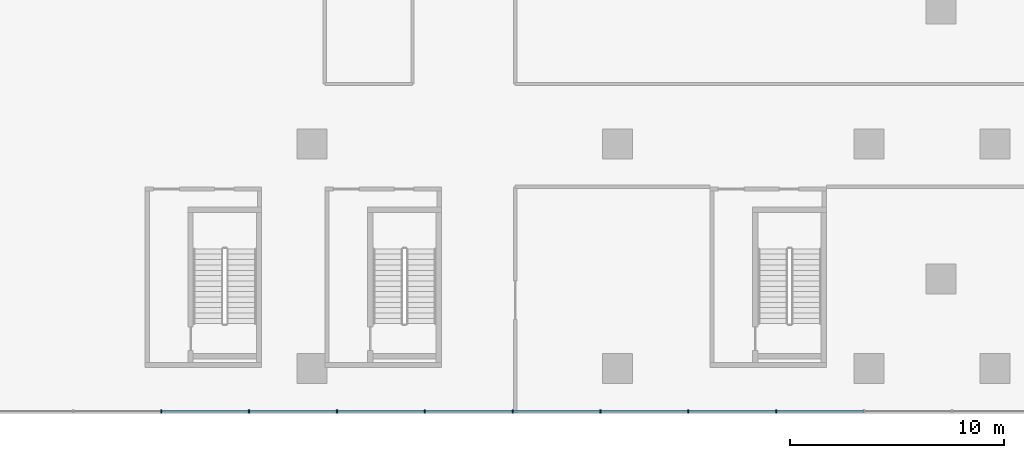
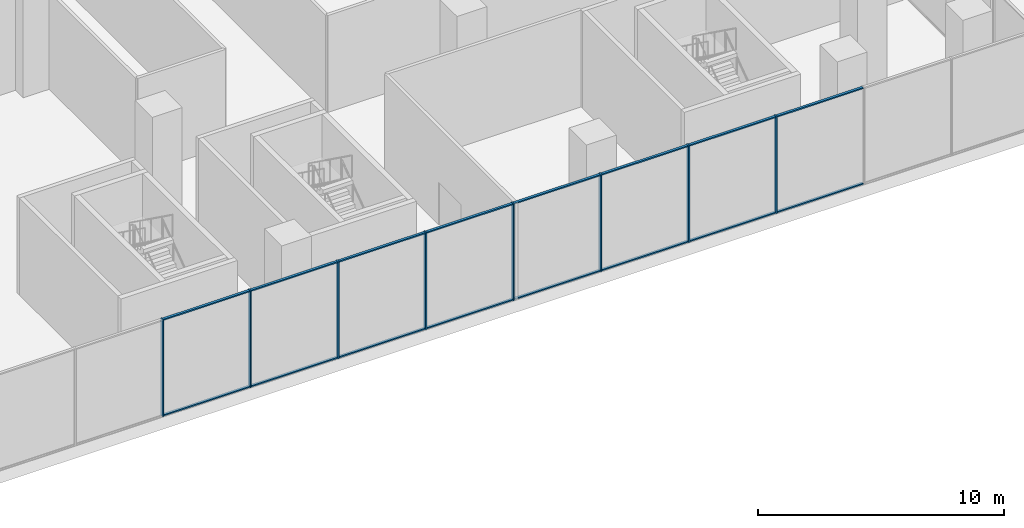
# One storey, part 5 of 23: 24 members, 1 element without a shape of its own.
"""IFC4 building model written with IfcOpenShell, lengths in metres."""

from ifc_helpers import new_model, si_unit, direction, frame, origin, origin_2d, place, context, subcontext, project, spatial, rectangle, extrude, source, transform, mapped, material, layer, layer_set, material_profile, profile_set, type_object, element, aggregate, save


model = new_model("IFC4")

# Units and contexts
model_context = context("Model", 3, precision=1e-05, world=origin(), true_north=direction((0.0, 1.0)))
body_context = subcontext(model_context, "Body", "Model", "MODEL_VIEW")
ifc_project = project(units=[si_unit("LENGTHUNIT", "METRE"), si_unit("AREAUNIT", "SQUARE_METRE"), si_unit("VOLUMEUNIT", "CUBIC_METRE"), si_unit("PLANEANGLEUNIT", "RADIAN"), si_unit("MASSUNIT", "GRAM", prefix="KILO")], contexts=[model_context])

# Site, building, storey
site_placement = place(None, origin())
site = spatial("IfcSite", under=ifc_project, at=site_placement, CompositionType="ELEMENT")
building_placement = place(site_placement, origin())
building = spatial("IfcBuilding", under=site, at=building_placement, Name="Aurelian Terraces", CompositionType="ELEMENT")
storey_placement = place(building_placement, frame((0.0, 0.0, 18.3)))
storey = spatial("IfcBuildingStorey", under=building, at=storey_placement, Name="L03", CompositionType="ELEMENT", Elevation=18.3)

# Curtain wall, members
ifc_material_1 = material(Name="Anodised aluminium and clear glazing", Category="aluminium")
ifc_layer = layer(ifc_material_1, 0.2)
ifc_layer_set = layer_set([ifc_layer], Name="Winter garden glazing curtain wall")
curtain_wall_type = type_object("IfcCurtainWallType", Name="Winter garden glazing curtain wall", PredefinedType="NOTDEFINED", material=ifc_layer_set)
curtain_wall_placement = place(storey_placement, origin())
curtain_wall = element("IfcCurtainWall", 1, at=curtain_wall_placement, inside=storey, type_object=curtain_wall_type, Name="Winter garden glazing L03 F01.1", PredefinedType="NOTDEFINED")
ifc_material_2 = material(Name="Anodised aluminium", Category="aluminium")
ifc_material_profile_1 = material_profile(ifc_material_2, rectangle(XDim=0.18, YDim=0.06, at=origin_2d()))
ifc_profile_set_1 = profile_set([ifc_material_profile_1], Name="Anodised aluminium")
member_type_1 = type_object("IfcMemberType", Name="Winter garden glazing mullion", PredefinedType="MULLION", material=ifc_profile_set_1)
shared_shape_1 = source(origin(), body_context, "Body", "SweptSolid", [
    extrude(rectangle(XDim=0.18, YDim=0.06, at=origin_2d()), origin(), (0.0, 0.0, 1.0), 4.8),
])
member_1_placement = place(storey_placement, frame((30.7533, -2.0, 0.0), z_axis=(0.0, 0.0, 1.0), x_axis=(0.0, 1.0, 0.0)))
member_1 = element("IfcMember", 2, at=member_1_placement, type_object=member_type_1, Name="CW6 mullion 9", PredefinedType="MULLION", context=body_context, shape_type="MappedRepresentation", body=[
    mapped(shared_shape_1, transform((0.0, 0.0, 0.0), scale=1.0)),
])
member_2_placement = place(storey_placement, frame((34.86, -2.0, 0.0), z_axis=(0.0, 0.0, 1.0), x_axis=(0.0, 1.0, 0.0)))
member_2 = element("IfcMember", 3, at=member_2_placement, type_object=member_type_1, Name="CW6 mullion 10", PredefinedType="MULLION", context=body_context, shape_type="MappedRepresentation", body=[
    mapped(shared_shape_1, transform((0.0, 0.0, 0.0), scale=1.0)),
])
member_3_placement = place(storey_placement, frame((38.9667, -2.0, 0.0), z_axis=(0.0, 0.0, 1.0), x_axis=(0.0, 1.0, 0.0)))
member_3 = element("IfcMember", 4, at=member_3_placement, type_object=member_type_1, Name="CW6 mullion 11", PredefinedType="MULLION", context=body_context, shape_type="MappedRepresentation", body=[
    mapped(shared_shape_1, transform((0.0, 0.0, 0.0), scale=1.0)),
])
member_4_placement = place(storey_placement, frame((43.0733, -2.0, 0.0), z_axis=(0.0, 0.0, 1.0), x_axis=(0.0, 1.0, 0.0)))
member_4 = element("IfcMember", 5, at=member_4_placement, type_object=member_type_1, Name="CW6 mullion 12", PredefinedType="MULLION", context=body_context, shape_type="MappedRepresentation", body=[
    mapped(shared_shape_1, transform((0.0, 0.0, 0.0), scale=1.0)),
])
member_5_placement = place(storey_placement, frame((47.18, -2.0, 0.0), z_axis=(0.0, 0.0, 1.0), x_axis=(0.0, 1.0, 0.0)))
member_5 = element("IfcMember", 6, at=member_5_placement, type_object=member_type_1, Name="CW6 mullion 13", PredefinedType="MULLION", context=body_context, shape_type="MappedRepresentation", body=[
    mapped(shared_shape_1, transform((0.0, 0.0, 0.0), scale=1.0)),
])
member_6_placement = place(storey_placement, frame((51.2867, -2.0, 0.0), z_axis=(0.0, 0.0, 1.0), x_axis=(0.0, 1.0, 0.0)))
member_6 = element("IfcMember", 7, at=member_6_placement, type_object=member_type_1, Name="CW6 mullion 14", PredefinedType="MULLION", context=body_context, shape_type="MappedRepresentation", body=[
    mapped(shared_shape_1, transform((0.0, 0.0, 0.0), scale=1.0)),
])
member_7_placement = place(storey_placement, frame((55.3933, -2.0, 0.0), z_axis=(0.0, 0.0, 1.0), x_axis=(0.0, 1.0, 0.0)))
member_7 = element("IfcMember", 8, at=member_7_placement, type_object=member_type_1, Name="CW6 mullion 15", PredefinedType="MULLION", context=body_context, shape_type="MappedRepresentation", body=[
    mapped(shared_shape_1, transform((0.0, 0.0, 0.0), scale=1.0)),
])
member_8_placement = place(storey_placement, frame((59.5, -2.0, 0.0), z_axis=(0.0, 0.0, 1.0), x_axis=(0.0, 1.0, 0.0)))
member_8 = element("IfcMember", 9, at=member_8_placement, type_object=member_type_1, Name="CW6 mullion 16", PredefinedType="MULLION", context=body_context, shape_type="MappedRepresentation", body=[
    mapped(shared_shape_1, transform((0.0, 0.0, 0.0), scale=1.0)),
])
ifc_material_profile_2 = material_profile(ifc_material_2, rectangle(XDim=0.12, YDim=0.06, at=origin_2d()))
ifc_profile_set_2 = profile_set([ifc_material_profile_2], Name="Anodised aluminium")
member_type_2 = type_object("IfcMemberType", Name="Winter garden glazing transom", PredefinedType="USERDEFINED", material=ifc_profile_set_2)
shared_shape_2 = source(origin(), body_context, "Body", "SweptSolid", [
    extrude(rectangle(XDim=0.12, YDim=0.06, at=origin_2d()), origin(), (0.0, 0.0, 1.0), 4.0466),
])
member_9_placement = place(storey_placement, frame((38.9967, -2.0, 0.03), z_axis=(1.0, 0.0, 0.0), x_axis=(0.0, 1.0, 0.0)))
member_9 = element("IfcMember", 10, at=member_9_placement, type_object=member_type_2, Name="CW6 transom 11.1", ObjectType="TRANSOM", PredefinedType="USERDEFINED", context=body_context, shape_type="MappedRepresentation", body=[
    mapped(shared_shape_2, transform((0.0, 0.0, 0.0), scale=1.0)),
])
member_10_placement = place(storey_placement, frame((38.9967, -2.0, 4.77), z_axis=(1.0, 0.0, 0.0), x_axis=(0.0, 1.0, 0.0)))
member_10 = element("IfcMember", 11, at=member_10_placement, type_object=member_type_2, Name="CW6 transom 11.2", ObjectType="TRANSOM", PredefinedType="USERDEFINED", context=body_context, shape_type="MappedRepresentation", body=[
    mapped(shared_shape_2, transform((0.0, 0.0, 0.0), scale=1.0)),
])
member_11_placement = place(storey_placement, frame((51.3167, -2.0, 0.03), z_axis=(1.0, 0.0, 0.0), x_axis=(0.0, 1.0, 0.0)))
member_11 = element("IfcMember", 12, at=member_11_placement, type_object=member_type_2, Name="CW6 transom 14.1", ObjectType="TRANSOM", PredefinedType="USERDEFINED", context=body_context, shape_type="MappedRepresentation", body=[
    mapped(shared_shape_2, transform((0.0, 0.0, 0.0), scale=1.0)),
])
member_12_placement = place(storey_placement, frame((51.3167, -2.0, 4.77), z_axis=(1.0, 0.0, 0.0), x_axis=(0.0, 1.0, 0.0)))
member_12 = element("IfcMember", 13, at=member_12_placement, type_object=member_type_2, Name="CW6 transom 14.2", ObjectType="TRANSOM", PredefinedType="USERDEFINED", context=body_context, shape_type="MappedRepresentation", body=[
    mapped(shared_shape_2, transform((0.0, 0.0, 0.0), scale=1.0)),
])
shared_shape_3 = source(origin(), body_context, "Body", "SweptSolid", [
    extrude(rectangle(XDim=0.12, YDim=0.06, at=origin_2d()), origin(), (0.0, 0.0, 1.0), 4.0467),
])
member_13_placement = place(storey_placement, frame((30.7833, -2.0, 0.03), z_axis=(1.0, 0.0, 0.0), x_axis=(0.0, 1.0, 0.0)))
member_13 = element("IfcMember", 14, at=member_13_placement, type_object=member_type_2, Name="CW6 transom 9.1", ObjectType="TRANSOM", PredefinedType="USERDEFINED", context=body_context, shape_type="MappedRepresentation", body=[
    mapped(shared_shape_3, transform((0.0, 0.0, 0.0), scale=1.0)),
])
member_14_placement = place(storey_placement, frame((30.7833, -2.0, 4.77), z_axis=(1.0, 0.0, 0.0), x_axis=(0.0, 1.0, 0.0)))
member_14 = element("IfcMember", 15, at=member_14_placement, type_object=member_type_2, Name="CW6 transom 9.2", ObjectType="TRANSOM", PredefinedType="USERDEFINED", context=body_context, shape_type="MappedRepresentation", body=[
    mapped(shared_shape_3, transform((0.0, 0.0, 0.0), scale=1.0)),
])
member_15_placement = place(storey_placement, frame((34.89, -2.0, 0.03), z_axis=(1.0, 0.0, 0.0), x_axis=(0.0, 1.0, 0.0)))
member_15 = element("IfcMember", 16, at=member_15_placement, type_object=member_type_2, Name="CW6 transom 10.1", ObjectType="TRANSOM", PredefinedType="USERDEFINED", context=body_context, shape_type="MappedRepresentation", body=[
    mapped(shared_shape_3, transform((0.0, 0.0, 0.0), scale=1.0)),
])
member_16_placement = place(storey_placement, frame((34.89, -2.0, 4.77), z_axis=(1.0, 0.0, 0.0), x_axis=(0.0, 1.0, 0.0)))
member_16 = element("IfcMember", 17, at=member_16_placement, type_object=member_type_2, Name="CW6 transom 10.2", ObjectType="TRANSOM", PredefinedType="USERDEFINED", context=body_context, shape_type="MappedRepresentation", body=[
    mapped(shared_shape_3, transform((0.0, 0.0, 0.0), scale=1.0)),
])
member_17_placement = place(storey_placement, frame((43.1033, -2.0, 0.03), z_axis=(1.0, 0.0, 0.0), x_axis=(0.0, 1.0, 0.0)))
member_17 = element("IfcMember", 18, at=member_17_placement, type_object=member_type_2, Name="CW6 transom 12.1", ObjectType="TRANSOM", PredefinedType="USERDEFINED", context=body_context, shape_type="MappedRepresentation", body=[
    mapped(shared_shape_3, transform((0.0, 0.0, 0.0), scale=1.0)),
])
member_18_placement = place(storey_placement, frame((43.1033, -2.0, 4.77), z_axis=(1.0, 0.0, 0.0), x_axis=(0.0, 1.0, 0.0)))
member_18 = element("IfcMember", 19, at=member_18_placement, type_object=member_type_2, Name="CW6 transom 12.2", ObjectType="TRANSOM", PredefinedType="USERDEFINED", context=body_context, shape_type="MappedRepresentation", body=[
    mapped(shared_shape_3, transform((0.0, 0.0, 0.0), scale=1.0)),
])
member_19_placement = place(storey_placement, frame((47.21, -2.0, 0.03), z_axis=(1.0, 0.0, 0.0), x_axis=(0.0, 1.0, 0.0)))
member_19 = element("IfcMember", 20, at=member_19_placement, type_object=member_type_2, Name="CW6 transom 13.1", ObjectType="TRANSOM", PredefinedType="USERDEFINED", context=body_context, shape_type="MappedRepresentation", body=[
    mapped(shared_shape_3, transform((0.0, 0.0, 0.0), scale=1.0)),
])
member_20_placement = place(storey_placement, frame((47.21, -2.0, 4.77), z_axis=(1.0, 0.0, 0.0), x_axis=(0.0, 1.0, 0.0)))
member_20 = element("IfcMember", 21, at=member_20_placement, type_object=member_type_2, Name="CW6 transom 13.2", ObjectType="TRANSOM", PredefinedType="USERDEFINED", context=body_context, shape_type="MappedRepresentation", body=[
    mapped(shared_shape_3, transform((0.0, 0.0, 0.0), scale=1.0)),
])
member_21_placement = place(storey_placement, frame((55.4233, -2.0, 0.03), z_axis=(1.0, 0.0, 0.0), x_axis=(0.0, 1.0, 0.0)))
member_21 = element("IfcMember", 22, at=member_21_placement, type_object=member_type_2, Name="CW6 transom 15.1", ObjectType="TRANSOM", PredefinedType="USERDEFINED", context=body_context, shape_type="MappedRepresentation", body=[
    mapped(shared_shape_3, transform((0.0, 0.0, 0.0), scale=1.0)),
])
member_22_placement = place(storey_placement, frame((55.4233, -2.0, 4.77), z_axis=(1.0, 0.0, 0.0), x_axis=(0.0, 1.0, 0.0)))
member_22 = element("IfcMember", 23, at=member_22_placement, type_object=member_type_2, Name="CW6 transom 15.2", ObjectType="TRANSOM", PredefinedType="USERDEFINED", context=body_context, shape_type="MappedRepresentation", body=[
    mapped(shared_shape_3, transform((0.0, 0.0, 0.0), scale=1.0)),
])
member_23_placement = place(storey_placement, frame((59.53, -2.0, 0.03), z_axis=(1.0, 0.0, 0.0), x_axis=(0.0, 1.0, 0.0)))
member_23 = element("IfcMember", 24, at=member_23_placement, type_object=member_type_2, Name="CW6 transom 16.1", ObjectType="TRANSOM", PredefinedType="USERDEFINED", context=body_context, shape_type="MappedRepresentation", body=[
    mapped(shared_shape_3, transform((0.0, 0.0, 0.0), scale=1.0)),
])
member_24_placement = place(storey_placement, frame((59.53, -2.0, 4.77), z_axis=(1.0, 0.0, 0.0), x_axis=(0.0, 1.0, 0.0)))
member_24 = element("IfcMember", 25, at=member_24_placement, type_object=member_type_2, Name="CW6 transom 16.2", ObjectType="TRANSOM", PredefinedType="USERDEFINED", context=body_context, shape_type="MappedRepresentation", body=[
    mapped(shared_shape_3, transform((0.0, 0.0, 0.0), scale=1.0)),
])
aggregate(curtain_wall, [member_1, member_2, member_3, member_4, member_5, member_6, member_7, member_8, member_13, member_14, member_15, member_16, member_9, member_10, member_17, member_18, member_19, member_20, member_11, member_12, member_21, member_22, member_23, member_24])

save(model, "model.ifc")
